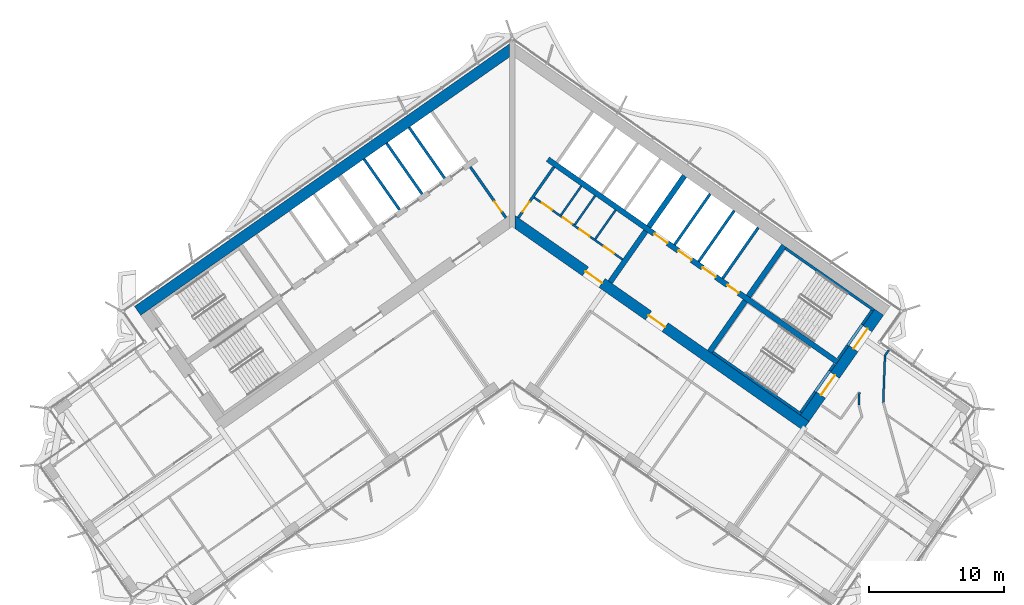
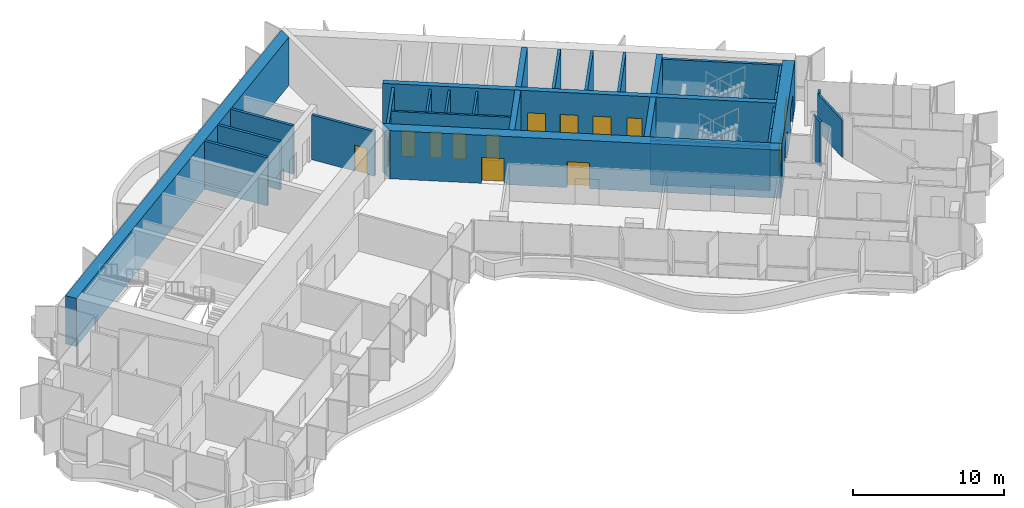
# One storey, part 14 of 21: 31 walls, 14 doors, 14 openings.
"""IFC4 building model written with IfcOpenShell, lengths in metres."""

from ifc_helpers import new_model, si_unit, direction, frame, frame_2d, origin, place, context, subcontext, project, spatial, polyline, rectangle, outline, extrude, material, layer, layer_set, type_object, element, fill, save


model = new_model("IFC4")

# Units and contexts
model_context = context("Model", 3, precision=1e-05, world=origin(), true_north=direction((0.0, 1.0)))
body_context = subcontext(model_context, "Body", "Model", "MODEL_VIEW")
ifc_project = project(units=[si_unit("LENGTHUNIT", "METRE"), si_unit("AREAUNIT", "SQUARE_METRE"), si_unit("VOLUMEUNIT", "CUBIC_METRE"), si_unit("PLANEANGLEUNIT", "RADIAN"), si_unit("MASSUNIT", "GRAM", prefix="KILO")], contexts=[model_context])

# Site, building, storey
site_placement = place(None, origin())
site = spatial("IfcSite", under=ifc_project, at=site_placement, CompositionType="ELEMENT")
building_placement = place(site_placement, origin())
building = spatial("IfcBuilding", under=site, at=building_placement, Name="Tel Ilan Convention Tower", CompositionType="ELEMENT")
storey_placement = place(building_placement, frame((0.0, 0.0, 210.0)))
storey = spatial("IfcBuildingStorey", under=building, at=storey_placement, Name="L49", CompositionType="ELEMENT", Elevation=210.0)

# Wall, openings, doors
ifc_material_1 = material(Name="Gypsum Plasterboard on Steel Stud", Category="steel")
ifc_layer_1 = layer(ifc_material_1, 0.14990234375)
ifc_layer_set_1 = layer_set([ifc_layer_1], Name="Core Room Partition Wall 150 mm EI 60")
wall_type_1 = type_object("IfcWallType", Name="Core Room Partition Wall 150 mm EI 60", PredefinedType="PARTITIONING", material=ifc_layer_set_1)
wall_1_placement = place(storey_placement, frame((1.63037109375, 0.93359375, 0.0), z_axis=(0.0, 0.0, 1.0), x_axis=(0.819165963305, -0.573556557423, 0.0)))
wall_1 = element("IfcWall", 1, at=wall_1_placement, inside=storey, type_object=wall_type_1, Name="L49 core wall wc-h1", PredefinedType="PARTITIONING", context=body_context, shape_type="SweptSolid", body=[
    extrude(rectangle(XDim=7.999755859375, YDim=0.14990234375, at=frame_2d((4.0, 0.0))), origin(), (0.0, 0.0, 1.0), 3.6201171875),
])
opening_1_placement = place(wall_1_placement, frame((0.699951171875, 0.0, 0.0)))
opening_1 = element("IfcOpeningElement", 2, at=opening_1_placement, cuts=wall_1, Name="Opening CD3812", PredefinedType="OPENING", context=body_context, shape_type="SweptSolid", body=[
    extrude(rectangle(XDim=0.89990234375, YDim=2.10009765625, at=frame_2d((0.449951171875, 1.050048828125))), frame((0.0, 0.0849609375, 0.0), z_axis=(0.0, -1.0, 0.0), x_axis=(1.0, 0.0, 0.0)), (0.0, 0.0, 1.0), 0.169921875),
])
opening_2_placement = place(wall_1_placement, frame((2.60009765625, 0.0, 0.0)))
opening_2 = element("IfcOpeningElement", 3, at=opening_2_placement, cuts=wall_1, Name="Opening CD3811", PredefinedType="OPENING", context=body_context, shape_type="SweptSolid", body=[
    extrude(rectangle(XDim=0.800048828125, YDim=2.10009765625, at=frame_2d((0.39990234375, 1.050048828125))), frame((0.0, 0.0849609375, 0.0), z_axis=(0.0, -1.0, 0.0), x_axis=(1.0, 0.0, 0.0)), (0.0, 0.0, 1.0), 0.169921875),
])
opening_3_placement = place(wall_1_placement, frame((4.10009765625, 0.0, 0.0)))
opening_3 = element("IfcOpeningElement", 4, at=opening_3_placement, cuts=wall_1, Name="Opening CD3810", PredefinedType="OPENING", context=body_context, shape_type="SweptSolid", body=[
    extrude(rectangle(XDim=0.89990234375, YDim=2.10009765625, at=frame_2d((0.449951171875, 1.050048828125))), frame((0.0, 0.0849609375, 0.0), z_axis=(0.0, -1.0, 0.0), x_axis=(1.0, 0.0, 0.0)), (0.0, 0.0, 1.0), 0.169921875),
])
opening_4_placement = place(wall_1_placement, frame((6.324951171875, 0.0, 0.0)))
opening_4 = element("IfcOpeningElement", 5, at=opening_4_placement, cuts=wall_1, Name="Opening CD3813", PredefinedType="OPENING", context=body_context, shape_type="SweptSolid", body=[
    extrude(rectangle(XDim=0.89990234375, YDim=2.10009765625, at=frame_2d((0.449951171875, 1.050048828125))), frame((0.0, 0.0849609375, 0.0), z_axis=(0.0, -1.0, 0.0), x_axis=(1.0, 0.0, 0.0)), (0.0, 0.0, 1.0), 0.169921875),
])
ifc_material_2 = material(Name="Galvanised Steel Door Leaf", Category="steel")
door_type_1 = type_object("IfcDoorType", Name="Store Door 800 x 2100 FD60", OperationType="NOTDEFINED", PredefinedType="DOOR", material=ifc_material_2)
door_1_placement = place(opening_2_placement, origin())
door_1 = element("IfcDoor", 6, at=door_1_placement, inside=storey, type_object=door_type_1, Name="Cleaner's store door", OperationType="SINGLE_SWING_RIGHT", OverallHeight=2.10009765625, OverallWidth=0.800048828125, PredefinedType="DOOR", context=body_context, shape_type="SweptSolid", body=[
    extrude(rectangle(XDim=0.800048828125, YDim=2.10009765625, at=frame_2d((0.39990234375, 1.050048828125))), frame((0.0, 0.02490234375, 0.0), z_axis=(0.0, -1.0, 0.0), x_axis=(1.0, 0.0, 0.0)), (0.0, 0.0, 1.0), 0.050048828125),
])
fill(opening_2, door_1)
ifc_material_3 = material(Name="Laminated Timber Door Leaf", Category="wood")
door_type_2 = type_object("IfcDoorType", Name="Toilet Door 900 x 2100 FD30S", OperationType="NOTDEFINED", PredefinedType="DOOR", material=ifc_material_3)
door_2_placement = place(opening_1_placement, origin())
door_2 = element("IfcDoor", 7, at=door_2_placement, inside=storey, type_object=door_type_2, Name="Men's WC door", OperationType="SINGLE_SWING_RIGHT", OverallHeight=2.10009765625, OverallWidth=0.89990234375, PredefinedType="DOOR", context=body_context, shape_type="SweptSolid", body=[
    extrude(rectangle(XDim=0.89990234375, YDim=2.10009765625, at=frame_2d((0.449951171875, 1.050048828125))), frame((0.0, 0.02490234375, 0.0), z_axis=(0.0, -1.0, 0.0), x_axis=(1.0, 0.0, 0.0)), (0.0, 0.0, 1.0), 0.050048828125),
])
fill(opening_1, door_2)
door_3_placement = place(opening_3_placement, origin())
door_3 = element("IfcDoor", 8, at=door_3_placement, inside=storey, type_object=door_type_2, Name="Accessible WC door", OperationType="SINGLE_SWING_RIGHT", OverallHeight=2.10009765625, OverallWidth=0.89990234375, PredefinedType="DOOR", context=body_context, shape_type="SweptSolid", body=[
    extrude(rectangle(XDim=0.89990234375, YDim=2.10009765625, at=frame_2d((0.449951171875, 1.050048828125))), frame((0.0, 0.02490234375, 0.0), z_axis=(0.0, -1.0, 0.0), x_axis=(1.0, 0.0, 0.0)), (0.0, 0.0, 1.0), 0.050048828125),
])
fill(opening_3, door_3)
door_4_placement = place(opening_4_placement, origin())
door_4 = element("IfcDoor", 9, at=door_4_placement, inside=storey, type_object=door_type_2, Name="Women's WC door", OperationType="SINGLE_SWING_RIGHT", OverallHeight=2.10009765625, OverallWidth=0.89990234375, PredefinedType="DOOR", context=body_context, shape_type="SweptSolid", body=[
    extrude(rectangle(XDim=0.89990234375, YDim=2.10009765625, at=frame_2d((0.449951171875, 1.050048828125))), frame((0.0, 0.02490234375, 0.0), z_axis=(0.0, -1.0, 0.0), x_axis=(1.0, 0.0, 0.0)), (0.0, 0.0, 1.0), 0.050048828125),
])
fill(opening_4, door_4)

# Walls
for number, where, z_axis, x_axis, name in (
    (10, (3.618896484375, -0.3671875, 0.0), (0.0, 0.0, 1.0), (0.573549726504, 0.819170746076, 0.0), "L49 core wall wc-v0"),
    (11, (4.642822265625, -1.083984375, 0.0), (0.0, 0.0, 1.0), (0.573593425114, 0.819140148367, 0.0), "L49 core wall wc-v1"),
    (12, (6.158203125, -2.145263671875, 0.0), (0.0, 0.0, 1.0), (0.573549726504, 0.819170746076, 0.0), "L49 core wall wc-v2"),
):
    element("IfcWall", number, at=place(storey_placement, frame(where, z_axis=z_axis, x_axis=x_axis)), inside=storey, type_object=wall_type_1, Name=name, PredefinedType="PARTITIONING", context=body_context, shape_type="SweptSolid", body=[
        extrude(rectangle(XDim=2.625, YDim=0.14990234375, at=frame_2d((1.3125, 0.0))), origin(), (0.0, 0.0, 1.0), 3.6201171875),
    ])

# Wall, opening, door
ifc_material_4 = material(Name="Concrete C30/37", Category="concrete")
ifc_layer_2 = layer(ifc_material_4, 0.199951171875)
ifc_layer_set_2 = layer_set([ifc_layer_2], Name="Core Service Room Wall 200 mm C30/37")
wall_type_2 = type_object("IfcWallType", Name="Core Service Room Wall 200 mm C30/37", PredefinedType="SOLIDWALL", material=ifc_layer_set_2)
wall_2_placement = place(storey_placement, frame((-0.458740234375, -0.565185546875, 0.0), z_axis=(0.0, 0.0, 1.0), x_axis=(-0.573576324356, 0.819152122709, 0.0)))
wall_2 = element("IfcWall", 13, at=wall_2_placement, inside=storey, type_object=wall_type_2, Name="L49 core wall apex-W", PredefinedType="SOLIDWALL", context=body_context, shape_type="SweptSolid", body=[
    extrude(rectangle(XDim=4.599853515625, YDim=0.199951171875, at=frame_2d((2.2998046875, 0.0))), origin(), (0.0, 0.0, 1.0), 3.6201171875),
])
opening_5_placement = place(wall_2_placement, frame((0.550048828125, 0.0, 0.0)))
opening_5 = element("IfcOpeningElement", 14, at=opening_5_placement, cuts=wall_2, Name="Opening CD3802", PredefinedType="OPENING", context=body_context, shape_type="SweptSolid", body=[
    extrude(rectangle(XDim=0.89990234375, YDim=2.10009765625, at=frame_2d((0.449951171875, 1.050048828125))), frame((0.0, 0.10986328125, 0.0), z_axis=(0.0, -1.0, 0.0), x_axis=(1.0, 0.0, 0.0)), (0.0, 0.0, 1.0), 0.219970703125),
])
ifc_material_5 = material(Name="Galvanised Steel Door Leaf", Category="steel")
door_type_3 = type_object("IfcDoorType", Name="Service Room Door 900 x 2100 FD60", OperationType="NOTDEFINED", PredefinedType="DOOR", material=ifc_material_5)
door_5_placement = place(opening_5_placement, origin())
door_5 = element("IfcDoor", 15, at=door_5_placement, inside=storey, type_object=door_type_3, Name="Riser Room door", OperationType="SINGLE_SWING_RIGHT", OverallHeight=2.10009765625, OverallWidth=0.89990234375, PredefinedType="DOOR", context=body_context, shape_type="SweptSolid", body=[
    extrude(rectangle(XDim=0.89990234375, YDim=2.10009765625, at=frame_2d((0.449951171875, 1.050048828125))), frame((0.0, 0.02490234375, 0.0), z_axis=(0.0, -1.0, 0.0), x_axis=(1.0, 0.0, 0.0)), (0.0, 0.0, 1.0), 0.050048828125),
])
fill(opening_5, door_5)

wall_3_placement = place(storey_placement, frame((0.458740234375, -0.565185546875, 0.0), z_axis=(0.0, 0.0, 1.0), x_axis=(0.573576324356, 0.819152122709, 0.0)))
wall_3 = element("IfcWall", 16, at=wall_3_placement, inside=storey, type_object=wall_type_2, Name="L49 core wall apex-E", PredefinedType="SOLIDWALL", context=body_context, shape_type="SweptSolid", body=[
    extrude(rectangle(XDim=4.599853515625, YDim=0.199951171875, at=frame_2d((2.2998046875, 0.0))), origin(), (0.0, 0.0, 1.0), 3.6201171875),
])
opening_6_placement = place(wall_3_placement, frame((0.550048828125, 0.0, 0.0)))
opening_6 = element("IfcOpeningElement", 17, at=opening_6_placement, cuts=wall_3, Name="Opening CD3801", PredefinedType="OPENING", context=body_context, shape_type="SweptSolid", body=[
    extrude(rectangle(XDim=0.89990234375, YDim=2.10009765625, at=frame_2d((0.449951171875, 1.050048828125))), frame((0.0, 0.10986328125, 0.0), z_axis=(0.0, -1.0, 0.0), x_axis=(1.0, 0.0, 0.0)), (0.0, 0.0, 1.0), 0.219970703125),
])
door_6_placement = place(opening_6_placement, origin())
door_6 = element("IfcDoor", 18, at=door_6_placement, inside=storey, type_object=door_type_3, Name="Electrical Room door", OperationType="SINGLE_SWING_RIGHT", OverallHeight=2.10009765625, OverallWidth=0.89990234375, PredefinedType="DOOR", context=body_context, shape_type="SweptSolid", body=[
    extrude(rectangle(XDim=0.89990234375, YDim=2.10009765625, at=frame_2d((0.449951171875, 1.050048828125))), frame((0.0, 0.02490234375, 0.0), z_axis=(0.0, -1.0, 0.0), x_axis=(1.0, 0.0, 0.0)), (0.0, 0.0, 1.0), 0.050048828125),
])
fill(opening_6, door_6)

# Walls
ifc_material_6 = material(Name="Concrete C50/60", Category="concrete")
ifc_layer_3 = layer(ifc_material_6, 0.39990234375)
ifc_layer_set_3 = layer_set([ifc_layer_3], Name="Core Shear Wall 400 mm C50/60")
wall_type_3 = type_object("IfcWallType", Name="Core Shear Wall 400 mm C50/60", PredefinedType="SHEAR", material=ifc_layer_set_3)
wall_4_placement = place(storey_placement, frame((7.2578125, -5.325927734375, 0.0), z_axis=(0.0, 0.0, 1.0), x_axis=(0.573540709186, 0.819177059558, 0.0)))
element("IfcWall", 19, at=wall_4_placement, inside=storey, type_object=wall_type_3, Name="L49 core wall E-cross1-1", PredefinedType="SHEAR", context=body_context, shape_type="SweptSolid", body=[
    extrude(outline(polyline([(-0.000244140625, 0.2001953125), (-0.000244140625, -0.199951171875), (4.599853515625, -0.2001953125), (4.599853515625, 0.199951171875), (-0.000244140625, 0.2001953125)])), origin(), (0.0, 0.0, 1.0), 3.89990234375),
])
wall_5_placement = place(storey_placement, frame((10.12548828125, -1.230224609375, 0.0), z_axis=(0.0, 0.0, 1.0), x_axis=(0.573576324356, 0.819152122709, 0.0)))
element("IfcWall", 20, at=wall_5_placement, inside=storey, type_object=wall_type_3, Name="L49 core wall E-cross1-2", PredefinedType="SHEAR", context=body_context, shape_type="SweptSolid", body=[
    extrude(outline(polyline([(4.599853515625, -0.199951171875), (4.60009765625, 0.199951171875), (0.0, 0.199951171875), (0.0, -0.2001953125), (4.599853515625, -0.199951171875)])), origin(), (0.0, 0.0, 1.0), 3.89990234375),
])
wall_6_placement = place(storey_placement, frame((14.6298828125, -10.48828125, 0.0), z_axis=(0.0, 0.0, 1.0), x_axis=(0.573611936273, 0.819127185829, 0.0)))
element("IfcWall", 21, at=wall_6_placement, inside=storey, type_object=wall_type_3, Name="L49 core wall E-cross2-1", PredefinedType="SHEAR", context=body_context, shape_type="SweptSolid", body=[
    extrude(outline(polyline([(0.000244140625, 0.199951171875), (0.000244140625, -0.2001953125), (4.60009765625, -0.199951171875), (4.60009765625, 0.2001953125), (0.000244140625, 0.199951171875)])), origin(), (0.0, 0.0, 1.0), 3.89990234375),
])
wall_7_placement = place(storey_placement, frame((17.497802734375, -6.392333984375, 0.0), z_axis=(0.0, 0.0, 1.0), x_axis=(0.573611936273, 0.819127185829, 0.0)))
element("IfcWall", 22, at=wall_7_placement, inside=storey, type_object=wall_type_3, Name="L49 core wall E-cross2-2", PredefinedType="SHEAR", context=body_context, shape_type="SweptSolid", body=[
    extrude(outline(polyline([(4.599853515625, -0.199951171875), (4.599853515625, 0.2001953125), (0.0, 0.199951171875), (0.0, -0.2001953125), (4.599853515625, -0.199951171875)])), origin(), (0.0, 0.0, 1.0), 3.89990234375),
])

# Wall, openings, doors
wall_8_placement = place(storey_placement, frame((2.638427734375, 3.76806640625, 0.0), z_axis=(0.0, 0.0, 1.0), x_axis=(0.81915267502, -0.573575535572, 0.0)))
wall_8 = element("IfcWall", 23, at=wall_8_placement, inside=storey, type_object=wall_type_3, Name="L49 core wall E-spine", PredefinedType="SHEAR", context=body_context, shape_type="SweptSolid", body=[
    extrude(outline(polyline([(0.0, 0.199951171875), (0.0, -0.199951171875), (26.199951171875, -0.199951171875), (26.199951171875, 0.199951171875), (0.0, 0.199951171875)])), origin(), (0.0, 0.0, 1.0), 3.89990234375),
])
opening_7_placement = place(wall_8_placement, frame((9.637451171875, 0.0, 0.0)))
opening_7 = element("IfcOpeningElement", 24, at=opening_7_placement, cuts=wall_8, Name="Opening LD3801", PredefinedType="OPENING", context=body_context, shape_type="SweptSolid", body=[
    extrude(rectangle(XDim=1.199951171875, YDim=2.10009765625, at=frame_2d((0.60009765625, 1.050048828125))), frame((0.0, 0.2099609375, 0.0), z_axis=(0.0, -1.0, 0.0), x_axis=(1.0, 0.0, 0.0)), (0.0, 0.0, 1.0), 0.419921875),
])
opening_8_placement = place(wall_8_placement, frame((11.8125, 0.0, 0.0)))
opening_8 = element("IfcOpeningElement", 25, at=opening_8_placement, cuts=wall_8, Name="Opening LD3802", PredefinedType="OPENING", context=body_context, shape_type="SweptSolid", body=[
    extrude(rectangle(XDim=1.199951171875, YDim=2.10009765625, at=frame_2d((0.60009765625, 1.050048828125))), frame((0.0, 0.2099609375, 0.0), z_axis=(0.0, -1.0, 0.0), x_axis=(1.0, 0.0, 0.0)), (0.0, 0.0, 1.0), 0.419921875),
])
opening_9_placement = place(wall_8_placement, frame((13.987548828125, 0.0, 0.0)))
opening_9 = element("IfcOpeningElement", 26, at=opening_9_placement, cuts=wall_8, Name="Opening LD3803", PredefinedType="OPENING", context=body_context, shape_type="SweptSolid", body=[
    extrude(rectangle(XDim=1.199951171875, YDim=2.10009765625, at=frame_2d((0.60009765625, 1.050048828125))), frame((0.0, 0.2099609375, 0.0), z_axis=(0.0, -1.0, 0.0), x_axis=(1.0, 0.0, 0.0)), (0.0, 0.0, 1.0), 0.419921875),
])
opening_10_placement = place(wall_8_placement, frame((16.262451171875, 0.0, 0.0)))
opening_10 = element("IfcOpeningElement", 27, at=opening_10_placement, cuts=wall_8, Name="Opening CD3807", PredefinedType="OPENING", context=body_context, shape_type="SweptSolid", body=[
    extrude(rectangle(XDim=1.0, YDim=2.10009765625, at=frame_2d((0.5, 1.050048828125))), frame((0.0, 0.2099609375, 0.0), z_axis=(0.0, -1.0, 0.0), x_axis=(1.0, 0.0, 0.0)), (0.0, 0.0, 1.0), 0.419921875),
])
ifc_material_7 = material(Name="Stainless Steel Sliding Door Leaf", Category="steel")
door_type_4 = type_object("IfcDoorType", Name="Lift Landing Door 1200 x 2100 FD120", OperationType="NOTDEFINED", PredefinedType="DOOR", material=ifc_material_7)
door_7_placement = place(opening_7_placement, origin())
door_7 = element("IfcDoor", 28, at=door_7_placement, inside=storey, type_object=door_type_4, Name="Lift FL1 landing door", OperationType="SLIDING_TO_LEFT", OverallHeight=2.10009765625, OverallWidth=1.199951171875, PredefinedType="DOOR", context=body_context, shape_type="SweptSolid", body=[
    extrude(rectangle(XDim=1.199951171875, YDim=2.10009765625, at=frame_2d((0.60009765625, 1.050048828125))), frame((0.0, 0.02490234375, 0.0), z_axis=(0.0, -1.0, 0.0), x_axis=(1.0, 0.0, 0.0)), (0.0, 0.0, 1.0), 0.050048828125),
])
fill(opening_7, door_7)
door_8_placement = place(opening_8_placement, origin())
door_8 = element("IfcDoor", 29, at=door_8_placement, inside=storey, type_object=door_type_4, Name="Lift FL2 landing door", OperationType="SLIDING_TO_RIGHT", OverallHeight=2.10009765625, OverallWidth=1.199951171875, PredefinedType="DOOR", context=body_context, shape_type="SweptSolid", body=[
    extrude(rectangle(XDim=1.199951171875, YDim=2.10009765625, at=frame_2d((0.60009765625, 1.050048828125))), frame((0.0, 0.02490234375, 0.0), z_axis=(0.0, -1.0, 0.0), x_axis=(1.0, 0.0, 0.0)), (0.0, 0.0, 1.0), 0.050048828125),
])
fill(opening_8, door_8)
door_9_placement = place(opening_9_placement, origin())
door_9 = element("IfcDoor", 30, at=door_9_placement, inside=storey, type_object=door_type_4, Name="Lift FL3 landing door", OperationType="SLIDING_TO_LEFT", OverallHeight=2.10009765625, OverallWidth=1.199951171875, PredefinedType="DOOR", context=body_context, shape_type="SweptSolid", body=[
    extrude(rectangle(XDim=1.199951171875, YDim=2.10009765625, at=frame_2d((0.60009765625, 1.050048828125))), frame((0.0, 0.02490234375, 0.0), z_axis=(0.0, -1.0, 0.0), x_axis=(1.0, 0.0, 0.0)), (0.0, 0.0, 1.0), 0.050048828125),
])
fill(opening_9, door_9)
ifc_material_8 = material(Name="Galvanised Steel Door Leaf", Category="steel")
door_type_5 = type_object("IfcDoorType", Name="Service Room Door 1000 x 2100 FD60", OperationType="NOTDEFINED", PredefinedType="DOOR", material=ifc_material_8)
door_10_placement = place(opening_10_placement, origin())
door_10 = element("IfcDoor", 31, at=door_10_placement, inside=storey, type_object=door_type_5, Name="Plant Room door", OperationType="SINGLE_SWING_RIGHT", OverallHeight=2.10009765625, OverallWidth=1.0, PredefinedType="DOOR", context=body_context, shape_type="SweptSolid", body=[
    extrude(rectangle(XDim=1.0, YDim=2.10009765625, at=frame_2d((0.5, 1.050048828125))), frame((0.0, 0.02490234375, 0.0), z_axis=(0.0, -1.0, 0.0), x_axis=(1.0, 0.0, 0.0)), (0.0, 0.0, 1.0), 0.050048828125),
])
fill(opening_10, door_10)

# Wall
ifc_material_9 = material(Name="Concrete C50/60", Category="concrete")
ifc_layer_4 = layer(ifc_material_9, 0.800048828125)
ifc_layer_set_4 = layer_set([ifc_layer_4], Name="Core Shear Wall 800 mm C50/60")
wall_type_4 = type_object("IfcWallType", Name="Core Shear Wall 800 mm C50/60", PredefinedType="SHEAR", material=ifc_layer_set_4)
wall_9_placement = place(storey_placement, frame((0.029296875, 11.984130859375, 0.0), z_axis=(0.0, 0.0, 1.0), x_axis=(-0.819151382952, -0.573577380837, 0.0)))
element("IfcWall", 32, at=wall_9_placement, inside=storey, type_object=wall_type_4, Name="L49 core wall W-back", PredefinedType="SHEAR", context=body_context, shape_type="SweptSolid", body=[
    extrude(outline(polyline([(33.897705078125, 0.39990234375), (0.56005859375, 0.400146484375), (-0.000244140625, -0.39990234375), (33.897705078125, -0.400146484375), (33.897705078125, 0.39990234375)])), origin(), (0.0, 0.0, 1.0), 3.89990234375),
])

# Wall, openings, doors
wall_10_placement = place(storey_placement, frame((-0.029296875, -0.7119140625, 0.0), z_axis=(0.0, 0.0, 1.0), x_axis=(0.819151758019, -0.573576845187, 0.0)))
wall_10 = element("IfcWall", 33, at=wall_10_placement, inside=storey, type_object=wall_type_4, Name="L49 core wall E-front", PredefinedType="SHEAR", context=body_context, shape_type="SweptSolid", body=[
    extrude(outline(polyline([(26.61572265625, 0.39990234375), (-0.000244140625, 0.39990234375), (0.56005859375, -0.39990234375), (26.61572265625, -0.39990234375), (26.61572265625, 0.39990234375)])), origin(), (0.0, 0.0, 1.0), 3.89990234375),
])
opening_11_placement = place(wall_10_placement, frame((6.665771484375, 0.0, 0.0)))
opening_11 = element("IfcOpeningElement", 34, at=opening_11_placement, cuts=wall_10, Name="Opening CD3803", PredefinedType="OPENING", context=body_context, shape_type="SweptSolid", body=[
    extrude(rectangle(XDim=1.5, YDim=2.10009765625, at=frame_2d((0.75, 1.050048828125))), frame((0.0, 0.409912109375, 0.0), z_axis=(0.0, -1.0, 0.0), x_axis=(1.0, 0.0, 0.0)), (0.0, 0.0, 1.0), 0.820068359375),
])
opening_12_placement = place(wall_10_placement, frame((12.36572265625, 0.0, 0.0)))
opening_12 = element("IfcOpeningElement", 35, at=opening_12_placement, cuts=wall_10, Name="Opening CD3804", PredefinedType="OPENING", context=body_context, shape_type="SweptSolid", body=[
    extrude(rectangle(XDim=1.5, YDim=2.10009765625, at=frame_2d((0.75, 1.050048828125))), frame((0.0, 0.409912109375, 0.0), z_axis=(0.0, -1.0, 0.0), x_axis=(1.0, 0.0, 0.0)), (0.0, 0.0, 1.0), 0.820068359375),
])
ifc_material_10 = material(Name="Glazed Aluminium Door Leaf", Category="aluminium")
door_type_6 = type_object("IfcDoorType", Name="Lobby Opening Door 1500 x 2100 FD60S", OperationType="NOTDEFINED", PredefinedType="DOOR", material=ifc_material_10)
door_11_placement = place(opening_12_placement, origin())
door_11 = element("IfcDoor", 36, at=door_11_placement, inside=storey, type_object=door_type_6, Name="Firefighting Lobby door", OperationType="DOUBLE_DOOR_SINGLE_SWING", OverallHeight=2.10009765625, OverallWidth=1.5, PredefinedType="DOOR", context=body_context, shape_type="SweptSolid", body=[
    extrude(rectangle(XDim=1.5, YDim=2.10009765625, at=frame_2d((0.75, 1.050048828125))), frame((0.0, 0.02490234375, 0.0), z_axis=(0.0, -1.0, 0.0), x_axis=(1.0, 0.0, 0.0)), (0.0, 0.0, 1.0), 0.050048828125),
])
fill(opening_12, door_11)
ifc_material_11 = material(Name="Laminated Timber Door Leaf", Category="wood")
door_type_7 = type_object("IfcDoorType", Name="Toilet Door 1500 x 2100 FD30S", OperationType="NOTDEFINED", PredefinedType="DOOR", material=ifc_material_11)
door_12_placement = place(opening_11_placement, origin())
door_12 = element("IfcDoor", 37, at=door_12_placement, inside=storey, type_object=door_type_7, Name="WC Lobby door", OperationType="SINGLE_SWING_RIGHT", OverallHeight=2.10009765625, OverallWidth=1.5, PredefinedType="DOOR", context=body_context, shape_type="SweptSolid", body=[
    extrude(rectangle(XDim=1.5, YDim=2.10009765625, at=frame_2d((0.75, 1.050048828125))), frame((0.0, 0.02490234375, 0.0), z_axis=(0.0, -1.0, 0.0), x_axis=(1.0, 0.0, 0.0)), (0.0, 0.0, 1.0), 0.050048828125),
])
fill(opening_11, door_12)

wall_11_placement = place(storey_placement, frame((21.6748046875, -15.4208984375, 0.0), z_axis=(0.0, 0.0, 1.0), x_axis=(0.573581815061, 0.819148278049, 0.0)))
wall_11 = element("IfcWall", 38, at=wall_11_placement, inside=storey, type_object=wall_type_4, Name="L49 core wall E-end", PredefinedType="SHEAR", context=body_context, shape_type="SweptSolid", body=[
    extrude(outline(polyline([(9.599853515625, 0.400146484375), (0.0, 0.39990234375), (0.0, -0.39990234375), (9.599853515625, -0.39990234375), (9.599853515625, 0.400146484375)])), origin(), (0.0, 0.0, 1.0), 3.89990234375),
])
opening_13_placement = place(wall_11_placement, frame((6.300048828125, 0.0, 0.0)))
opening_13 = element("IfcOpeningElement", 39, at=opening_13_placement, cuts=wall_11, Name="Opening SD3803", PredefinedType="OPENING", context=body_context, shape_type="SweptSolid", body=[
    extrude(rectangle(XDim=1.800048828125, YDim=2.10009765625, at=frame_2d((0.89990234375, 1.050048828125))), frame((0.0, 0.409912109375, 0.0), z_axis=(0.0, -1.0, 0.0), x_axis=(1.0, 0.0, 0.0)), (0.0, 0.0, 1.0), 0.820068359375),
])
opening_14_placement = place(wall_11_placement, frame((2.10009765625, 0.0, 0.0)))
opening_14 = element("IfcOpeningElement", 40, at=opening_14_placement, cuts=wall_11, Name="Opening SD3804", PredefinedType="OPENING", context=body_context, shape_type="SweptSolid", body=[
    extrude(rectangle(XDim=1.800048828125, YDim=2.10009765625, at=frame_2d((0.89990234375, 1.050048828125))), frame((0.0, 0.409912109375, 0.0), z_axis=(0.0, -1.0, 0.0), x_axis=(1.0, 0.0, 0.0)), (0.0, 0.0, 1.0), 0.820068359375),
])
ifc_material_12 = material(Name="Galvanised Steel Door Leaf", Category="steel")
door_type_8 = type_object("IfcDoorType", Name="Stair Fire Door 1800 x 2100 FD60S", OperationType="NOTDEFINED", PredefinedType="DOOR", material=ifc_material_12)
door_13_placement = place(opening_13_placement, origin())
door_13 = element("IfcDoor", 41, at=door_13_placement, inside=storey, type_object=door_type_8, Name="Stair S3 door", OperationType="DOUBLE_DOOR_SINGLE_SWING", OverallHeight=2.10009765625, OverallWidth=1.800048828125, PredefinedType="DOOR", context=body_context, shape_type="SweptSolid", body=[
    extrude(rectangle(XDim=1.800048828125, YDim=2.10009765625, at=frame_2d((0.89990234375, 1.050048828125))), frame((0.0, 0.02490234375, 0.0), z_axis=(0.0, -1.0, 0.0), x_axis=(1.0, 0.0, 0.0)), (0.0, 0.0, 1.0), 0.050048828125),
])
fill(opening_13, door_13)
door_14_placement = place(opening_14_placement, origin())
door_14 = element("IfcDoor", 42, at=door_14_placement, inside=storey, type_object=door_type_8, Name="Stair S4 door", OperationType="DOUBLE_DOOR_SINGLE_SWING", OverallHeight=2.10009765625, OverallWidth=1.800048828125, PredefinedType="DOOR", context=body_context, shape_type="SweptSolid", body=[
    extrude(rectangle(XDim=1.800048828125, YDim=2.10009765625, at=frame_2d((0.89990234375, 1.050048828125))), frame((0.0, 0.02490234375, 0.0), z_axis=(0.0, -1.0, 0.0), x_axis=(1.0, 0.0, 0.0)), (0.0, 0.0, 1.0), 0.050048828125),
])
fill(opening_14, door_14)

# Walls
ifc_material_13 = material(Name="Plasterboard on Steel Studs", Category="steel")
ifc_layer_5 = layer(ifc_material_13, 0.14990234375)
ifc_layer_set_5 = layer_set([ifc_layer_5], Name="Fire-rated Partition 150 EI 60")
wall_type_5 = type_object("IfcWallType", Name="Fire-rated Partition 150 EI 60", PredefinedType="PARTITIONING", material=ifc_layer_set_5)
wall_12_placement = place(storey_placement, frame((25.712890625, -13.489501953125, 0.0), z_axis=(0.0, 0.0, 1.0), x_axis=(-0.036992788415, -0.999315532555, 0.0)))
element("IfcWall", 43, at=wall_12_placement, inside=storey, type_object=wall_type_5, Name="Partition 014", PredefinedType="PARTITIONING", context=body_context, shape_type="SweptSolid", body=[
    extrude(rectangle(XDim=0.95703125, YDim=0.14990234375, at=frame_2d((0.478515625, 0.0))), origin(), (0.0, 0.0, 1.0), 3.6201171875),
])
wall_13_placement = place(storey_placement, frame((27.486572265625, -14.23486328125, 0.0), z_axis=(0.0, 0.0, 1.0), x_axis=(0.036938656061, 0.999317534965, 0.0)))
element("IfcWall", 44, at=wall_13_placement, inside=storey, type_object=wall_type_5, Name="Partition 021", PredefinedType="PARTITIONING", context=body_context, shape_type="SweptSolid", body=[
    extrude(rectangle(XDim=3.46337890625, YDim=0.14990234375, at=frame_2d((1.731689453125, 0.0))), origin(), (0.0, 0.0, 1.0), 3.0),
])
wall_14_placement = place(storey_placement, frame((27.614501953125, -10.77392578125, 0.0), z_axis=(0.0, 0.0, 1.0), x_axis=(0.573664431734, 0.819090422214, 0.0)))
element("IfcWall", 45, at=wall_14_placement, inside=storey, type_object=wall_type_5, Name="Partition 022", PredefinedType="PARTITIONING", context=body_context, shape_type="SweptSolid", body=[
    extrude(rectangle(XDim=0.486328125, YDim=0.14990234375, at=frame_2d((0.2431640625, 0.0))), origin(), (0.0, 0.0, 1.0), 3.0),
])
ifc_material_14 = material(Name="Concrete C30/37", Category="concrete")
ifc_layer_6 = layer(ifc_material_14, 0.199951171875)
ifc_layer_set_6 = layer_set([ifc_layer_6], Name="Lift Shaft Wall 200 mm C30/37")
wall_type_6 = type_object("IfcWallType", Name="Lift Shaft Wall 200 mm C30/37", PredefinedType="SOLIDWALL", material=ifc_layer_set_6)
for number, where, z_axis, x_axis, name in (
    (46, (-4.99560546875, 2.36181640625, 0.0), (0.0, 0.0, 1.0), (-0.573576324356, 0.819152122709, 0.0), "L49 core wall bank-W1-p0"),
    (47, (-6.66455078125, 1.193115234375, 0.0), (0.0, 0.0, 1.0), (-0.573576324356, 0.819152122709, 0.0), "L49 core wall bank-W1-p1"),
):
    element("IfcWall", number, at=place(storey_placement, frame(where, z_axis=z_axis, x_axis=x_axis)), inside=storey, type_object=wall_type_6, Name=name, PredefinedType="SOLIDWALL", context=body_context, shape_type="SweptSolid", body=[
        extrude(rectangle(XDim=4.599853515625, YDim=0.199951171875, at=frame_2d((2.2998046875, 0.0))), origin(), (0.0, 0.0, 1.0), 3.89990234375),
    ])
wall_15_placement = place(storey_placement, frame((-8.33349609375, 0.0244140625, 0.0), z_axis=(0.0, 0.0, 1.0), x_axis=(-0.573611936273, 0.819127185829, 0.0)))
element("IfcWall", 48, at=wall_15_placement, inside=storey, type_object=wall_type_6, Name="L49 core wall bank-W1-p2", PredefinedType="SOLIDWALL", context=body_context, shape_type="SweptSolid", body=[
    extrude(rectangle(XDim=4.60009765625, YDim=0.199951171875, at=frame_2d((2.300048828125, 0.0))), origin(), (0.0, 0.0, 1.0), 3.89990234375),
])
for number, where, z_axis, x_axis, name in (
    (49, (12.030029296875, -2.563720703125, 0.0), (0.0, 0.0, 1.0), (0.573576324356, 0.819152122709, 0.0), "L49 core wall bank-E2-p0"),
    (50, (13.811767578125, -3.811279296875, 0.0), (0.0, 0.0, 1.0), (0.573576324356, 0.819152122709, 0.0), "L49 core wall bank-E2-p1"),
    (51, (15.593505859375, -5.058837890625, 0.0), (0.0, 0.0, 1.0), (0.573540709186, 0.819177059558, 0.0), "L49 core wall bank-E2-p2"),
):
    element("IfcWall", number, at=place(storey_placement, frame(where, z_axis=z_axis, x_axis=x_axis)), inside=storey, type_object=wall_type_6, Name=name, PredefinedType="SOLIDWALL", context=body_context, shape_type="SweptSolid", body=[
        extrude(rectangle(XDim=4.599853515625, YDim=0.199951171875, at=frame_2d((2.2998046875, 0.0))), origin(), (0.0, 0.0, 1.0), 3.89990234375),
    ])
ifc_material_15 = material(Name="Concrete C30/37", Category="concrete")
ifc_layer_7 = layer(ifc_material_15, 0.199951171875)
ifc_layer_set_7 = layer_set([ifc_layer_7], Name="Stair and Shaft Lining Wall 200 mm C30/37")
wall_type_7 = type_object("IfcWallType", Name="Stair and Shaft Lining Wall 200 mm C30/37", PredefinedType="SOLIDWALL", material=ifc_layer_set_7)
wall_16_placement = place(storey_placement, frame((20.242919921875, -2.821044921875, 0.0), z_axis=(0.0, 0.0, 1.0), x_axis=(0.819141584393, -0.57359137434, 0.0)))
element("IfcWall", 52, at=wall_16_placement, inside=storey, type_object=wall_type_7, Name="L49 core wall lining-S3-t1", PredefinedType="SOLIDWALL", context=body_context, shape_type="SweptSolid", body=[
    extrude(rectangle(XDim=7.999755859375, YDim=0.199951171875, at=frame_2d((4.0, 0.0))), origin(), (0.0, 0.0, 1.0), 3.6201171875),
])
wall_17_placement = place(storey_placement, frame((24.16162109375, -10.99755859375, 0.0), z_axis=(0.0, 0.0, 1.0), x_axis=(0.573612502218, 0.819126789514, 0.0)))
element("IfcWall", 53, at=wall_17_placement, inside=storey, type_object=wall_type_7, Name="L49 core wall lining-S3-u1-0", PredefinedType="SOLIDWALL", context=body_context, shape_type="SweptSolid", body=[
    extrude(rectangle(XDim=1.2001953125, YDim=0.199951171875, at=frame_2d((0.60009765625, 0.0))), origin(), (0.0, 0.0, 1.0), 3.6201171875),
])
wall_18_placement = place(storey_placement, frame((25.939697265625, -8.4580078125, 0.0), z_axis=(0.0, 0.0, 1.0), x_axis=(0.573619628835, 0.819121798889, 0.0)))
element("IfcWall", 54, at=wall_18_placement, inside=storey, type_object=wall_type_7, Name="L49 core wall lining-S3-u1-1", PredefinedType="SOLIDWALL", context=body_context, shape_type="SweptSolid", body=[
    extrude(rectangle(XDim=1.25, YDim=0.199951171875, at=frame_2d((0.625, 0.0))), origin(), (0.0, 0.0, 1.0), 3.6201171875),
])
wall_19_placement = place(storey_placement, frame((24.85009765625, -10.014404296875, 2.14990234375), z_axis=(0.0, 0.0, 1.0), x_axis=(0.573505465124, 0.819201734296, 0.0)))
element("IfcWall", 55, at=wall_19_placement, inside=storey, type_object=wall_type_7, Name="L49 core wall lining-S3-u1-lintel", PredefinedType="SOLIDWALL", context=body_context, shape_type="SweptSolid", body=[
    extrude(rectangle(XDim=1.89990234375, YDim=0.199951171875, at=frame_2d((0.949951171875, 0.0))), origin(), (0.0, 0.0, 1.0), 1.47021484375),
])
wall_20_placement = place(storey_placement, frame((14.851318359375, -10.52099609375, 0.0), z_axis=(0.0, 0.0, 1.0), x_axis=(0.819141584393, -0.57359137434, 0.0)))
element("IfcWall", 56, at=wall_20_placement, inside=storey, type_object=wall_type_7, Name="L49 core wall lining-S4-t0", PredefinedType="SOLIDWALL", context=body_context, shape_type="SweptSolid", body=[
    extrude(rectangle(XDim=7.999755859375, YDim=0.199951171875, at=frame_2d((4.0, 0.0))), origin(), (0.0, 0.0, 1.0), 3.6201171875),
])
wall_21_placement = place(storey_placement, frame((21.3798828125, -14.97021484375, 0.0), z_axis=(0.0, 0.0, 1.0), x_axis=(0.573559770908, 0.819163713305, 0.0)))
element("IfcWall", 57, at=wall_21_placement, inside=storey, type_object=wall_type_7, Name="L49 core wall lining-S4-u1-0", PredefinedType="SOLIDWALL", context=body_context, shape_type="SweptSolid", body=[
    extrude(rectangle(XDim=1.849853515625, YDim=0.199951171875, at=frame_2d((0.9248046875, 0.0))), origin(), (0.0, 0.0, 1.0), 3.6201171875),
])
wall_22_placement = place(storey_placement, frame((23.53076171875, -11.8984375, 0.0), z_axis=(0.0, 0.0, 1.0), x_axis=(0.573708088123, 0.819059844958, 0.0)))
element("IfcWall", 58, at=wall_22_placement, inside=storey, type_object=wall_type_7, Name="L49 core wall lining-S4-u1-1", PredefinedType="SOLIDWALL", context=body_context, shape_type="SweptSolid", body=[
    extrude(rectangle(XDim=0.60009765625, YDim=0.199951171875, at=frame_2d((0.300048828125, 0.0))), origin(), (0.0, 0.0, 1.0), 3.6201171875),
])
wall_23_placement = place(storey_placement, frame((22.44091796875, -13.454833984375, 2.14990234375), z_axis=(0.0, 0.0, 1.0), x_axis=(0.573591692345, 0.819141361715, 0.0)))
element("IfcWall", 59, at=wall_23_placement, inside=storey, type_object=wall_type_7, Name="L49 core wall lining-S4-u1-lintel", PredefinedType="SOLIDWALL", context=body_context, shape_type="SweptSolid", body=[
    extrude(rectangle(XDim=1.900146484375, YDim=0.199951171875, at=frame_2d((0.9501953125, 0.0))), origin(), (0.0, 0.0, 1.0), 1.47021484375),
])

save(model, "model.ifc")
